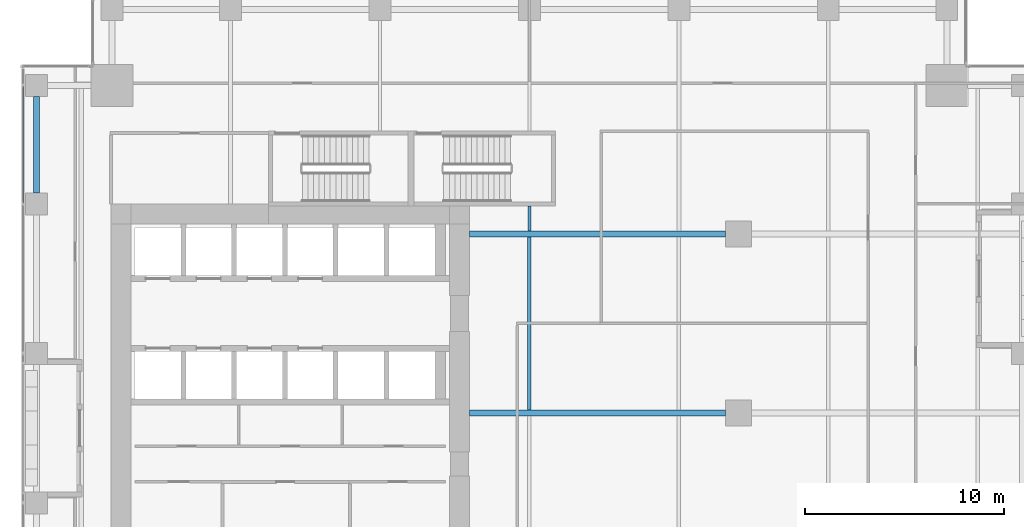
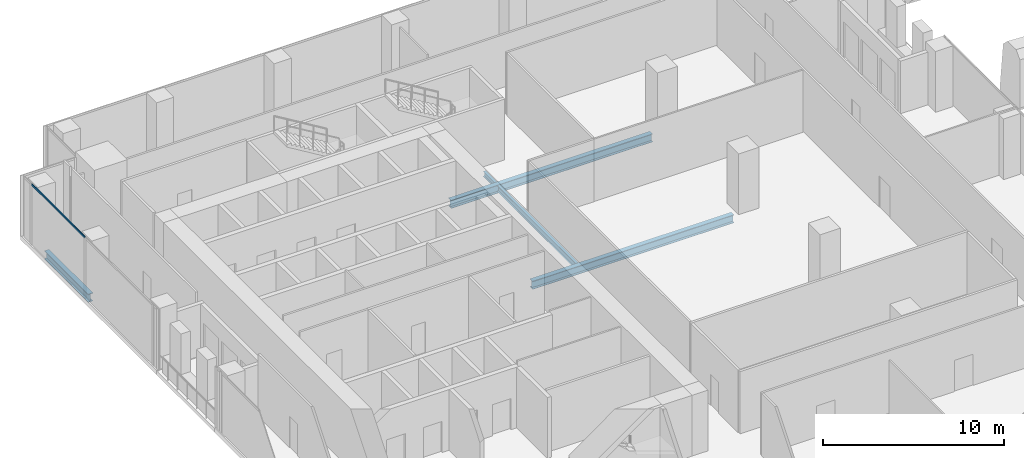
# One storey, part 15 of 35: 5 beams, 1 member, 1 element without a shape of its own.
"""IFC4 building model written with IfcOpenShell, lengths in metres."""

from ifc_helpers import new_model, si_unit, direction, frame, origin, origin_2d, place, context, subcontext, project, spatial, hollow_rectangle, i_section, extrude, source, transform, mapped, material, material_profile, profile_set, type_object, element, aggregate, save


model = new_model("IFC4")

# Units and contexts
model_context = context("Model", 3, precision=1e-05, world=origin(), true_north=direction((0.0, 1.0)))
body_context = subcontext(model_context, "Body", "Model", "MODEL_VIEW")
ifc_project = project(units=[si_unit("LENGTHUNIT", "METRE"), si_unit("AREAUNIT", "SQUARE_METRE"), si_unit("VOLUMEUNIT", "CUBIC_METRE"), si_unit("PLANEANGLEUNIT", "RADIAN"), si_unit("MASSUNIT", "GRAM", prefix="KILO")], contexts=[model_context])

# Site, building, storey
site_placement = place(None, origin())
site = spatial("IfcSite", under=ifc_project, at=site_placement, CompositionType="ELEMENT")
building_placement = place(site_placement, origin())
building = spatial("IfcBuilding", under=site, at=building_placement, Name="Khomas Fold Tower", CompositionType="ELEMENT")
storey_placement = place(building_placement, frame((0.0, 0.0, 136.699951171875)))
storey = spatial("IfcBuildingStorey", under=building, at=storey_placement, Name="L29", CompositionType="ELEMENT", Elevation=136.699951171875)

# Beams
ifc_material_1 = material(Name="Steel S355", Category="steel")
ifc_material_profile_1 = material_profile(ifc_material_1, i_section(OverallWidth=0.179931640625, OverallDepth=0.39990234375, WebThickness=0.008544921875, FlangeThickness=0.013427734375, at=origin_2d()), Name="IPE 400")
ifc_profile_set_1 = profile_set([ifc_material_profile_1], Name="Steel S355")
beam_type_1 = type_object("IfcBeamType", Name="IPE 400 beam JB3", PredefinedType="BEAM", material=ifc_profile_set_1)
shared_shape_1 = source(origin(), body_context, "Body", "SweptSolid", [
    extrude(i_section(OverallWidth=0.179931640625, OverallDepth=0.39990234375, WebThickness=0.008544921875, FlangeThickness=0.013427734375, at=origin_2d()), origin(), (0.0, 0.0, 1.0), 8.7001953125),
])
beam_1_placement = place(storey_placement, frame((27.0, 31.64990234375, -0.5), z_axis=(0.0, 1.0, 0.0), x_axis=(-1.0, 0.0, 0.0)))
element("IfcBeam", 1, at=beam_1_placement, inside=storey, type_object=beam_type_1, Name="JB3", PredefinedType="BEAM", context=body_context, shape_type="MappedRepresentation", body=[
    mapped(shared_shape_1, transform((0.0, 0.0, 0.0))),
])
ifc_material_2 = material(Name="Steel S355", Category="steel")
ifc_material_profile_2 = material_profile(ifc_material_2, i_section(OverallWidth=0.159912109375, OverallDepth=0.330078125, WebThickness=0.007568359375, FlangeThickness=0.011474609375, at=origin_2d()), Name="IPE 330")
ifc_profile_set_2 = profile_set([ifc_material_profile_2], Name="Steel S355")
beam_type_2 = type_object("IfcBeamType", Name="IPE 330 beam JB1", PredefinedType="BEAM", material=ifc_profile_set_2)
shared_shape_2 = source(origin(), body_context, "Body", "SweptSolid", [
    extrude(i_section(OverallWidth=0.159912109375, OverallDepth=0.330078125, WebThickness=0.007568359375, FlangeThickness=0.011474609375, at=origin_2d()), origin(), (0.0, 0.0, 1.0), 1.25),
])
beam_2_placement = place(storey_placement, frame((27.0, 40.64990234375, -0.46484375), z_axis=(0.0, 1.0, 0.0), x_axis=(-1.0, 0.0, 0.0)))
element("IfcBeam", 2, at=beam_2_placement, inside=storey, type_object=beam_type_2, Name="JB1", PredefinedType="BEAM", context=body_context, shape_type="MappedRepresentation", body=[
    mapped(shared_shape_2, transform((0.0, 0.0, 0.0))),
])
ifc_material_3 = material(Name="Steel S355", Category="steel")
ifc_material_profile_3 = material_profile(ifc_material_3, i_section(OverallWidth=0.300048828125, OverallDepth=0.550048828125, WebThickness=0.014892578125, FlangeThickness=0.029052734375, at=origin_2d()), Name="HE 550 B")
ifc_profile_set_3 = profile_set([ifc_material_profile_3], Name="Steel S355")
beam_type_3 = type_object("IfcBeamType", Name="HE 550 B spandrel SB2", PredefinedType="SPANDREL", material=ifc_profile_set_3)
shared_shape_3 = source(origin(), body_context, "Body", "SweptSolid", [
    extrude(i_section(OverallWidth=0.300048828125, OverallDepth=0.550048828125, WebThickness=0.014892578125, FlangeThickness=0.029052734375, at=origin_2d()), origin(), (0.0, 0.0, 1.0), 4.849853515625),
])
beam_3_placement = place(storey_placement, frame((2.25, 42.550048828125, -0.574951171875), z_axis=(0.0, 1.0, 0.0), x_axis=(-1.0, 0.0, 0.0)))
element("IfcBeam", 3, at=beam_3_placement, inside=storey, type_object=beam_type_3, Name="SB2", PredefinedType="SPANDREL", context=body_context, shape_type="MappedRepresentation", body=[
    mapped(shared_shape_3, transform((0.0, 0.0, 0.0))),
])
ifc_material_4 = material(Name="Steel S355", Category="steel")
ifc_material_profile_4 = material_profile(ifc_material_4, i_section(OverallWidth=0.300048828125, OverallDepth=0.550048828125, WebThickness=0.014892578125, FlangeThickness=0.029052734375, at=origin_2d()), Name="HE 550 B")
ifc_profile_set_4 = profile_set([ifc_material_profile_4], Name="Steel S355")
beam_type_4 = type_object("IfcBeamType", Name="HE 550 B beam GB4", PredefinedType="BEAM", material=ifc_profile_set_4)
shared_shape_4 = source(origin(), body_context, "Body", "SweptSolid", [
    extrude(i_section(OverallWidth=0.300048828125, OverallDepth=0.550048828125, WebThickness=0.014892578125, FlangeThickness=0.029052734375, at=origin_2d()), origin(), (0.0, 0.0, 1.0), 12.85009765625),
])
for number, where, z_axis, x_axis, name in (
    (4, (24.0, 31.5, -0.574951171875), (1.0, 0.0, 0.0), (0.0, 1.0, 0.0), "GB4"),
    (5, (24.0, 40.5, -0.574951171875), (1.0, 0.0, 0.0), (0.0, 1.0, 0.0), "GB4"),
):
    element("IfcBeam", number, at=place(storey_placement, frame(where, z_axis=z_axis, x_axis=x_axis)), inside=storey, type_object=beam_type_4, Name=name, PredefinedType="BEAM", context=body_context, shape_type="MappedRepresentation", body=[
        mapped(shared_shape_4, transform((0.0, 0.0, 0.0))),
    ])

# Curtain wall, member
ifc_material_5 = material(Name="Aluminium framed double glazing", Category="aluminium")
curtain_wall_type = type_object("IfcCurtainWallType", Name="SK-Unitised clear-glass wall, growing floors CW1", PredefinedType="NOTDEFINED", material=ifc_material_5)
curtain_wall_placement = place(storey_placement, origin())
curtain_wall = element("IfcCurtainWall", 6, at=curtain_wall_placement, inside=storey, type_object=curtain_wall_type, Name="CW1 run L29 09-0", PredefinedType="NOTDEFINED")
ifc_material_6 = material(Name="Aluminium", Category="aluminium")
ifc_material_profile_5 = material_profile(ifc_material_6, hollow_rectangle(XDim=0.06005859375, YDim=0.1201171875, WallThickness=0.00390625, at=origin_2d()), Name="SK-Unitised clear-glass wall, growing floors transom CW1-T")
ifc_profile_set_5 = profile_set([ifc_material_profile_5], Name="Aluminium")
member_type = type_object("IfcMemberType", Name="SK-Unitised clear-glass wall, growing floors transom CW1-T", PredefinedType="USERDEFINED", material=ifc_profile_set_5)
shared_shape_5 = source(origin(), body_context, "Body", "SweptSolid", [
    extrude(hollow_rectangle(XDim=0.06005859375, YDim=0.1201171875, WallThickness=0.00390625, at=origin_2d()), origin(), (0.0, 0.0, 1.0), 5.889892578125),
])
member_placement = place(storey_placement, frame((1.60009765625, 47.919921875, 4.0400390625), z_axis=(0.0, -1.0, 0.0), x_axis=(1.0, 0.0, 0.0)))
member = element("IfcMember", 7, at=member_placement, type_object=member_type, Name="CW1 transom 2", ObjectType="TRANSOM", PredefinedType="USERDEFINED", context=body_context, shape_type="MappedRepresentation", body=[
    mapped(shared_shape_5, transform((0.0, 0.0, 0.0))),
])
aggregate(curtain_wall, [member])

save(model, "model.ifc")
